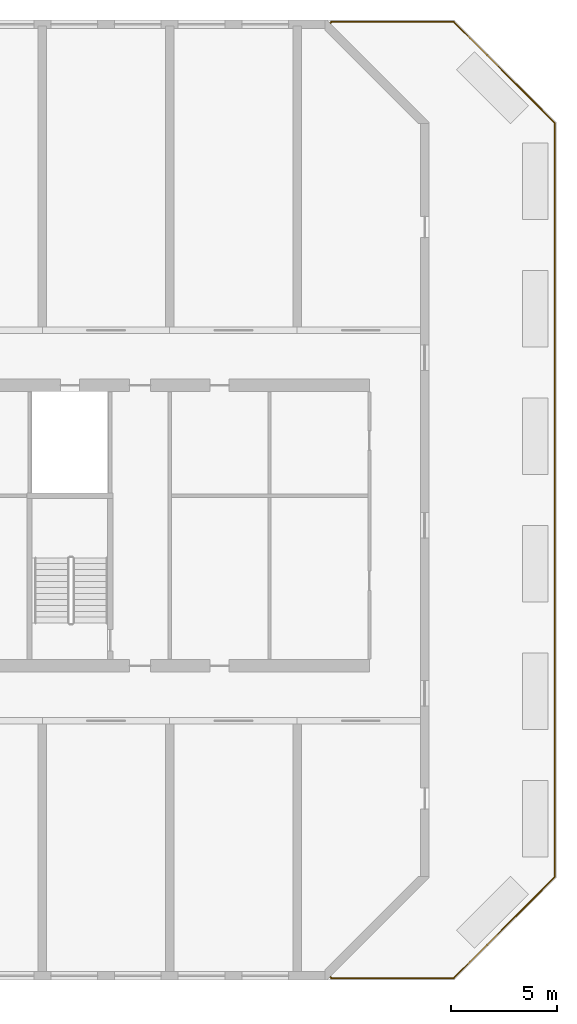
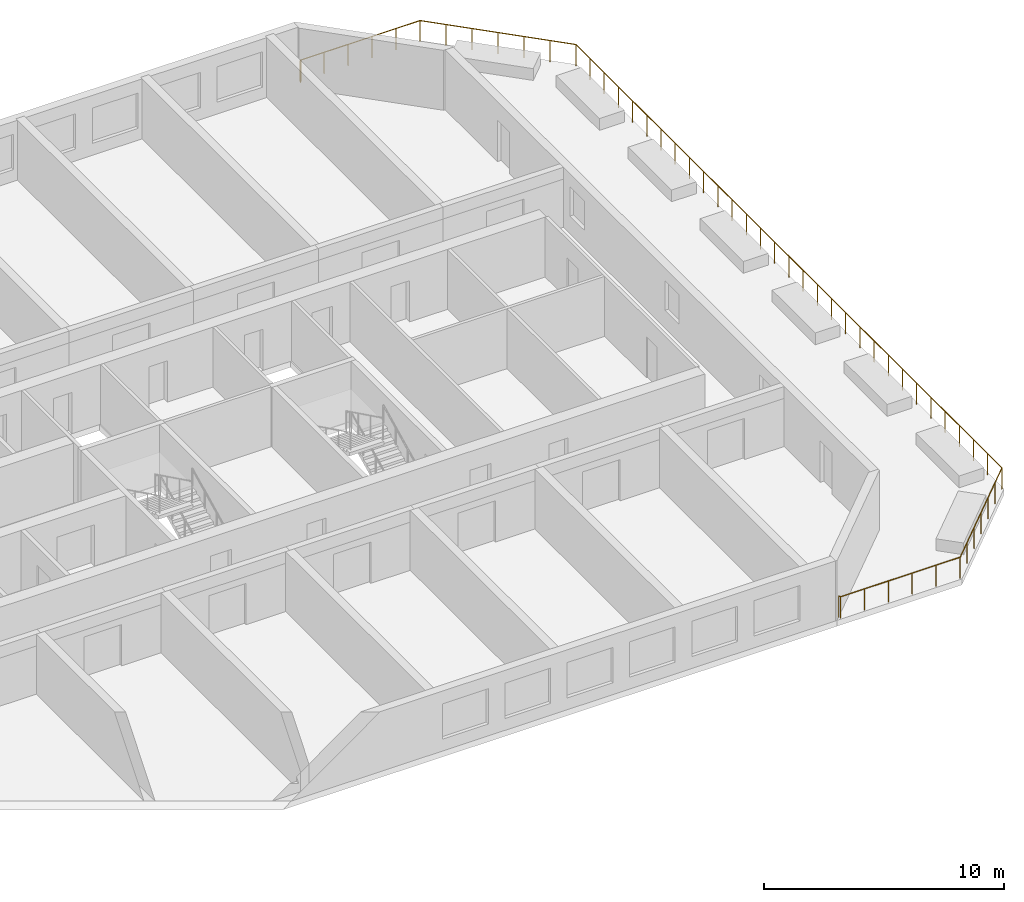
# One storey, part 21 of 21: 1 railing.
"""IFC4 building model written with IfcOpenShell, lengths in metres."""

from ifc_helpers import new_model, si_unit, direction, frame, origin, origin_2d, place, context, subcontext, project, spatial, circle, extrude, material, type_object, element, save


model = new_model("IFC4")

# Units and contexts
model_context = context("Model", 3, precision=1e-05, world=origin(), true_north=direction((0.0, 1.0)))
body_context = subcontext(model_context, "Body", "Model", "MODEL_VIEW")
ifc_project = project(units=[si_unit("LENGTHUNIT", "METRE"), si_unit("AREAUNIT", "SQUARE_METRE"), si_unit("VOLUMEUNIT", "CUBIC_METRE"), si_unit("PLANEANGLEUNIT", "RADIAN"), si_unit("MASSUNIT", "GRAM", prefix="KILO")], contexts=[model_context])

# Site, building, storey
site_placement = place(None, origin())
site = spatial("IfcSite", under=ifc_project, at=site_placement, CompositionType="ELEMENT")
building_placement = place(site_placement, origin())
building = spatial("IfcBuilding", under=site, at=building_placement, Name="Poui Terraces", CompositionType="ELEMENT")
storey_placement = place(building_placement, frame((0.0, 0.0, 53.10009765625)))
storey = spatial("IfcBuildingStorey", under=building, at=storey_placement, Name="L14", CompositionType="ELEMENT", Elevation=53.10009765625)

# Railing
ifc_material = material(Name="Painted steel fretwork", Category="steel")
railing_type = type_object("IfcRailingType", Name="TERRACE GUARD 1100", PredefinedType="GUARDRAIL", material=ifc_material)
railing_placement = place(storey_placement, frame((91.556640625, 44.843505859375, 0.0)))
element("IfcRailing", 1, at=railing_placement, inside=storey, type_object=railing_type, Name="TERRACE GUARD", PredefinedType="GUARDRAIL", context=body_context, shape_type="SweptSolid", body=[
    extrude(circle(Radius=0.02392578125, at=origin_2d()), frame((0.0, 0.0, 1.076171875), z_axis=(0.707106781187, 0.707106781187, 0.0), x_axis=(-0.707106781187, 0.707106781187, 0.0)), (0.0, 0.0, 1.0), 0.079833984375),
    extrude(circle(Radius=0.02392578125, at=origin_2d()), frame((0.056396484375, 0.056396484375, 1.076171875), z_axis=(-0.707106781187, 0.707106781187, 0.0), x_axis=(-0.707106781187, -0.707106781187, 0.0)), (0.0, 0.0, 1.0), 0.0283203125),
    extrude(circle(Radius=0.02392578125, at=origin_2d()), frame((0.036376953125, 0.076416015625, 1.076171875), z_axis=(1.0, 0.0, 0.0), x_axis=(0.0, 1.0, 0.0)), (0.0, 0.0, 1.0), 5.77392578125),
    extrude(circle(Radius=0.02392578125, at=origin_2d()), frame((5.810302734375, 0.076416015625, 1.076171875), z_axis=(0.707124941232, -0.707088620674, 0.0), x_axis=(0.707088620674, 0.707124941232, 0.0)), (0.0, 0.0, 1.0), 6.721923828125),
    extrude(circle(Radius=0.02392578125, at=origin_2d()), frame((10.5634765625, -4.676513671875, 1.076171875), z_axis=(0.0, -1.0, 0.0), x_axis=(1.0, 0.0, 0.0)), (0.0, 0.0, 1.0), 35.533935546875),
    extrude(circle(Radius=0.02392578125, at=origin_2d()), frame((10.5634765625, -40.21044921875, 1.076171875), z_axis=(-0.707106781187, -0.707106781187, 0.0), x_axis=(0.707106781187, -0.707106781187, 0.0)), (0.0, 0.0, 1.0), 6.721923828125),
    extrude(circle(Radius=0.02392578125, at=origin_2d()), frame((5.810302734375, -44.963623046875, 1.076171875), z_axis=(-1.0, 0.0, 0.0), x_axis=(0.0, -1.0, 0.0)), (0.0, 0.0, 1.0), 5.77392578125),
    extrude(circle(Radius=0.02392578125, at=origin_2d()), frame((0.036376953125, -44.963623046875, 1.076171875), z_axis=(0.707106781187, 0.707106781187, 0.0), x_axis=(-0.707106781187, 0.707106781187, 0.0)), (0.0, 0.0, 1.0), 0.0283203125),
    extrude(circle(Radius=0.02392578125, at=origin_2d()), frame((0.056396484375, -44.943603515625, 1.076171875), z_axis=(-0.705577907011, 0.708632356824, 0.0), x_axis=(-0.708632356824, -0.705577907011, 0.0)), (0.0, 0.0, 1.0), 0.079833984375),
    extrude(circle(Radius=0.02099609375, at=origin_2d()), origin(), (0.0, 0.0, 1.0), 1.052001953125),
    extrude(circle(Radius=0.02099609375, at=origin_2d()), frame((0.056396484375, 0.056396484375, 0.0)), (0.0, 0.0, 1.0), 1.052001953125),
    extrude(circle(Radius=0.02099609375, at=origin_2d()), frame((0.036376953125, 0.076416015625, 0.0)), (0.0, 0.0, 1.0), 1.052001953125),
    extrude(circle(Radius=0.02099609375, at=origin_2d()), frame((1.191162109375, 0.076416015625, 0.0)), (0.0, 0.0, 1.0), 1.052001953125),
    extrude(circle(Radius=0.02099609375, at=origin_2d()), frame((2.345947265625, 0.076416015625, 0.0)), (0.0, 0.0, 1.0), 1.052001953125),
    extrude(circle(Radius=0.02099609375, at=origin_2d()), frame((3.500732421875, 0.076416015625, 0.0)), (0.0, 0.0, 1.0), 1.052001953125),
    extrude(circle(Radius=0.02099609375, at=origin_2d()), frame((4.655517578125, 0.076416015625, 0.0)), (0.0, 0.0, 1.0), 1.052001953125),
    extrude(circle(Radius=0.02099609375, at=origin_2d()), frame((5.810302734375, 0.076416015625, 0.0)), (0.0, 0.0, 1.0), 1.052001953125),
    extrude(circle(Radius=0.02099609375, at=origin_2d()), frame((6.6025390625, -0.7158203125, 0.0)), (0.0, 0.0, 1.0), 1.052001953125),
    extrude(circle(Radius=0.02099609375, at=origin_2d()), frame((7.394775390625, -1.5078125, 0.0)), (0.0, 0.0, 1.0), 1.052001953125),
    extrude(circle(Radius=0.02099609375, at=origin_2d()), frame((8.18701171875, -2.300048828125, 0.0)), (0.0, 0.0, 1.0), 1.052001953125),
    extrude(circle(Radius=0.02099609375, at=origin_2d()), frame((8.97900390625, -3.09228515625, 0.0)), (0.0, 0.0, 1.0), 1.052001953125),
    extrude(circle(Radius=0.02099609375, at=origin_2d()), frame((9.771240234375, -3.88427734375, 0.0)), (0.0, 0.0, 1.0), 1.052001953125),
    extrude(circle(Radius=0.02099609375, at=origin_2d()), frame((10.5634765625, -4.676513671875, 0.0)), (0.0, 0.0, 1.0), 1.052001953125),
    extrude(circle(Radius=0.02099609375, at=origin_2d()), frame((10.5634765625, -5.861083984375, 0.0)), (0.0, 0.0, 1.0), 1.052001953125),
    extrude(circle(Radius=0.02099609375, at=origin_2d()), frame((10.5634765625, -7.04541015625, 0.0)), (0.0, 0.0, 1.0), 1.052001953125),
    extrude(circle(Radius=0.02099609375, at=origin_2d()), frame((10.5634765625, -8.22998046875, 0.0)), (0.0, 0.0, 1.0), 1.052001953125),
    extrude(circle(Radius=0.02099609375, at=origin_2d()), frame((10.5634765625, -9.414306640625, 0.0)), (0.0, 0.0, 1.0), 1.052001953125),
    extrude(circle(Radius=0.02099609375, at=origin_2d()), frame((10.5634765625, -10.598876953125, 0.0)), (0.0, 0.0, 1.0), 1.052001953125),
    extrude(circle(Radius=0.02099609375, at=origin_2d()), frame((10.5634765625, -11.783203125, 0.0)), (0.0, 0.0, 1.0), 1.052001953125),
    extrude(circle(Radius=0.02099609375, at=origin_2d()), frame((10.5634765625, -12.9677734375, 0.0)), (0.0, 0.0, 1.0), 1.052001953125),
    extrude(circle(Radius=0.02099609375, at=origin_2d()), frame((10.5634765625, -14.15234375, 0.0)), (0.0, 0.0, 1.0), 1.052001953125),
    extrude(circle(Radius=0.02099609375, at=origin_2d()), frame((10.5634765625, -15.336669921875, 0.0)), (0.0, 0.0, 1.0), 1.052001953125),
    extrude(circle(Radius=0.02099609375, at=origin_2d()), frame((10.5634765625, -16.521240234375, 0.0)), (0.0, 0.0, 1.0), 1.052001953125),
    extrude(circle(Radius=0.02099609375, at=origin_2d()), frame((10.5634765625, -17.70556640625, 0.0)), (0.0, 0.0, 1.0), 1.052001953125),
    extrude(circle(Radius=0.02099609375, at=origin_2d()), frame((10.5634765625, -18.89013671875, 0.0)), (0.0, 0.0, 1.0), 1.052001953125),
    extrude(circle(Radius=0.02099609375, at=origin_2d()), frame((10.5634765625, -20.074462890625, 0.0)), (0.0, 0.0, 1.0), 1.052001953125),
    extrude(circle(Radius=0.02099609375, at=origin_2d()), frame((10.5634765625, -21.259033203125, 0.0)), (0.0, 0.0, 1.0), 1.052001953125),
    extrude(circle(Radius=0.02099609375, at=origin_2d()), frame((10.5634765625, -22.443359375, 0.0)), (0.0, 0.0, 1.0), 1.052001953125),
    extrude(circle(Radius=0.02099609375, at=origin_2d()), frame((10.5634765625, -23.6279296875, 0.0)), (0.0, 0.0, 1.0), 1.052001953125),
    extrude(circle(Radius=0.02099609375, at=origin_2d()), frame((10.5634765625, -24.8125, 0.0)), (0.0, 0.0, 1.0), 1.052001953125),
    extrude(circle(Radius=0.02099609375, at=origin_2d()), frame((10.5634765625, -25.996826171875, 0.0)), (0.0, 0.0, 1.0), 1.052001953125),
    extrude(circle(Radius=0.02099609375, at=origin_2d()), frame((10.5634765625, -27.181396484375, 0.0)), (0.0, 0.0, 1.0), 1.052001953125),
    extrude(circle(Radius=0.02099609375, at=origin_2d()), frame((10.5634765625, -28.36572265625, 0.0)), (0.0, 0.0, 1.0), 1.052001953125),
    extrude(circle(Radius=0.02099609375, at=origin_2d()), frame((10.5634765625, -29.55029296875, 0.0)), (0.0, 0.0, 1.0), 1.052001953125),
    extrude(circle(Radius=0.02099609375, at=origin_2d()), frame((10.5634765625, -30.734619140625, 0.0)), (0.0, 0.0, 1.0), 1.052001953125),
    extrude(circle(Radius=0.02099609375, at=origin_2d()), frame((10.5634765625, -31.919189453125, 0.0)), (0.0, 0.0, 1.0), 1.052001953125),
    extrude(circle(Radius=0.02099609375, at=origin_2d()), frame((10.5634765625, -33.103759765625, 0.0)), (0.0, 0.0, 1.0), 1.052001953125),
    extrude(circle(Radius=0.02099609375, at=origin_2d()), frame((10.5634765625, -34.2880859375, 0.0)), (0.0, 0.0, 1.0), 1.052001953125),
    extrude(circle(Radius=0.02099609375, at=origin_2d()), frame((10.5634765625, -35.47265625, 0.0)), (0.0, 0.0, 1.0), 1.052001953125),
    extrude(circle(Radius=0.02099609375, at=origin_2d()), frame((10.5634765625, -36.656982421875, 0.0)), (0.0, 0.0, 1.0), 1.052001953125),
    extrude(circle(Radius=0.02099609375, at=origin_2d()), frame((10.5634765625, -37.841552734375, 0.0)), (0.0, 0.0, 1.0), 1.052001953125),
    extrude(circle(Radius=0.02099609375, at=origin_2d()), frame((10.5634765625, -39.02587890625, 0.0)), (0.0, 0.0, 1.0), 1.052001953125),
    extrude(circle(Radius=0.02099609375, at=origin_2d()), frame((10.5634765625, -40.21044921875, 0.0)), (0.0, 0.0, 1.0), 1.052001953125),
    extrude(circle(Radius=0.02099609375, at=origin_2d()), frame((9.771240234375, -41.002685546875, 0.0)), (0.0, 0.0, 1.0), 1.052001953125),
    extrude(circle(Radius=0.02099609375, at=origin_2d()), frame((8.97900390625, -41.794921875, 0.0)), (0.0, 0.0, 1.0), 1.052001953125),
    extrude(circle(Radius=0.02099609375, at=origin_2d()), frame((8.18701171875, -42.5869140625, 0.0)), (0.0, 0.0, 1.0), 1.052001953125),
    extrude(circle(Radius=0.02099609375, at=origin_2d()), frame((7.394775390625, -43.379150390625, 0.0)), (0.0, 0.0, 1.0), 1.052001953125),
    extrude(circle(Radius=0.02099609375, at=origin_2d()), frame((6.6025390625, -44.17138671875, 0.0)), (0.0, 0.0, 1.0), 1.052001953125),
    extrude(circle(Radius=0.02099609375, at=origin_2d()), frame((5.810302734375, -44.963623046875, 0.0)), (0.0, 0.0, 1.0), 1.052001953125),
    extrude(circle(Radius=0.02099609375, at=origin_2d()), frame((4.655517578125, -44.963623046875, 0.0)), (0.0, 0.0, 1.0), 1.052001953125),
    extrude(circle(Radius=0.02099609375, at=origin_2d()), frame((3.500732421875, -44.963623046875, 0.0)), (0.0, 0.0, 1.0), 1.052001953125),
    extrude(circle(Radius=0.02099609375, at=origin_2d()), frame((2.345947265625, -44.963623046875, 0.0)), (0.0, 0.0, 1.0), 1.052001953125),
    extrude(circle(Radius=0.02099609375, at=origin_2d()), frame((1.191162109375, -44.963623046875, 0.0)), (0.0, 0.0, 1.0), 1.052001953125),
    extrude(circle(Radius=0.02099609375, at=origin_2d()), frame((0.036376953125, -44.963623046875, 0.0)), (0.0, 0.0, 1.0), 1.052001953125),
    extrude(circle(Radius=0.02099609375, at=origin_2d()), frame((0.056396484375, -44.943603515625, 0.0)), (0.0, 0.0, 1.0), 1.052001953125),
    extrude(circle(Radius=0.02099609375, at=origin_2d()), frame((0.0, -44.886962890625, 0.0)), (0.0, 0.0, 1.0), 1.052001953125),
])

save(model, "model.ifc")
